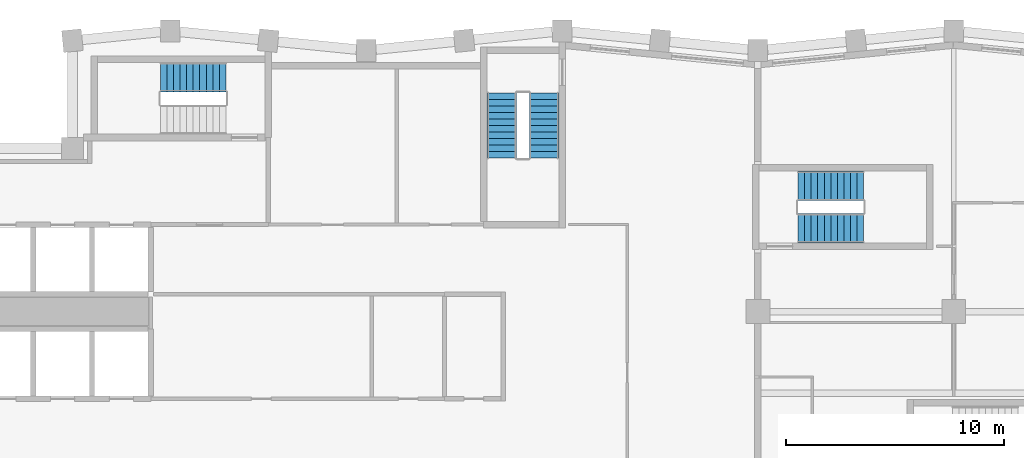
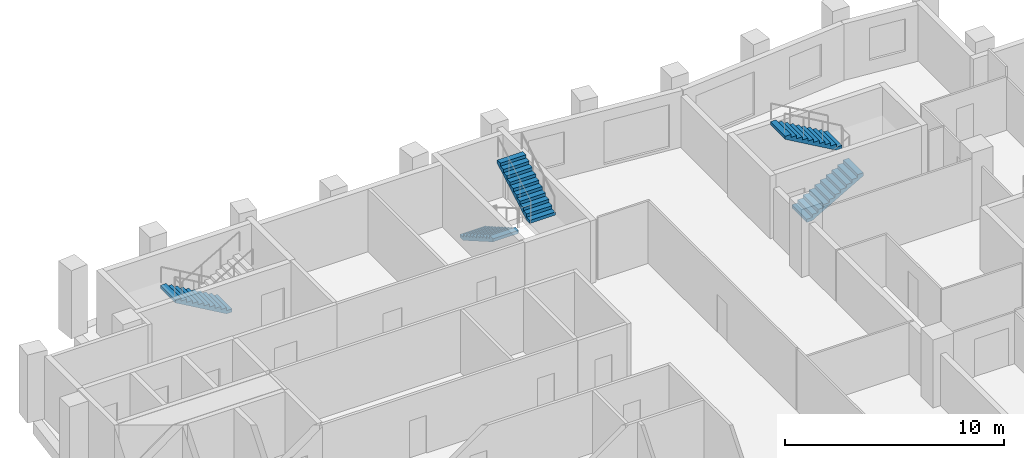
# One storey, part 7 of 8: 5 stair flights, 3 elements without a shape of their own.
"""IFC4 building model written with IfcOpenShell, lengths in metres."""

from ifc_helpers import new_model, si_unit, direction, frame, origin, place, context, subcontext, project, spatial, polyline, outline, extrude, material, type_object, element, aggregate, save


model = new_model("IFC4")

# Units and contexts
model_context = context("Model", 3, precision=1e-05, world=origin(), true_north=direction((0.0, 1.0)))
body_context = subcontext(model_context, "Body", "Model", "MODEL_VIEW")
ifc_project = project(units=[si_unit("LENGTHUNIT", "METRE"), si_unit("AREAUNIT", "SQUARE_METRE"), si_unit("VOLUMEUNIT", "CUBIC_METRE"), si_unit("PLANEANGLEUNIT", "RADIAN"), si_unit("MASSUNIT", "GRAM", prefix="KILO")], contexts=[model_context])

# Site, building, storey
site_placement = place(None, origin())
site = spatial("IfcSite", under=ifc_project, at=site_placement, CompositionType="ELEMENT")
building_placement = place(site_placement, origin())
building = spatial("IfcBuilding", under=site, at=building_placement, Name="Brondeck Convention Tower", CompositionType="ELEMENT")
storey_placement = place(building_placement, frame((0.0, 0.0, 214.0)))
storey = spatial("IfcBuildingStorey", under=building, at=storey_placement, Name="L52", CompositionType="ELEMENT", Elevation=214.0)

# Stair, stair flights
ifc_material = material(Name="Precast concrete C50/60", Category="concrete")
stair_type = type_object("IfcStairType", Name="Core stair 22 risers 172.73 mm riser 300 mm going 1350 wide", PredefinedType="HALF_TURN_STAIR", material=ifc_material)
stair_1_placement = place(storey_placement, origin())
stair_1 = element("IfcStair", 1, at=stair_1_placement, inside=storey, type_object=stair_type, Name="ST-2 L52 stair", PredefinedType="HALF_TURN_STAIR")
stair_flight_type = type_object("IfcStairFlightType", Name="Core stair flight 22 risers 172.73 mm riser 300 mm going 1350 wide", PredefinedType="STRAIGHT", material=ifc_material)
stair_flight_1_placement = place(storey_placement, frame((24.22509765625, 61.050048828125, 0.0), z_axis=(0.0, 0.0, 1.0), x_axis=(0.0, -1.0, 0.0)))
stair_flight_1 = element("IfcStairFlight", 2, at=stair_flight_1_placement, type_object=stair_flight_type, Name="ST-2 flight 1", NumberOfRisers=11, NumberOfTreads=10, PredefinedType="STRAIGHT", RiserHeight=0.172727273, TreadLength=0.3, context=body_context, shape_type="SweptSolid", body=[
    extrude(outline(polyline([(0.0, 0.0), (0.0, 0.172607421875), (0.300048828125, 0.172607421875), (0.300048828125, 0.345458984375), (0.60009765625, 0.345458984375), (0.60009765625, 0.51806640625), (0.89990234375, 0.51806640625), (0.89990234375, 0.69091796875), (1.199951171875, 0.69091796875), (1.199951171875, 0.863525390625), (1.5, 0.863525390625), (1.5, 1.036376953125), (1.800048828125, 1.036376953125), (1.800048828125, 1.208984375), (2.10009765625, 1.208984375), (2.10009765625, 1.3818359375), (2.39990234375, 1.3818359375), (2.39990234375, 1.554443359375), (2.699951171875, 1.554443359375), (2.699951171875, 1.727294921875), (3.0, 1.727294921875), (3.0, 1.89990234375), (3.0, 1.55419921875), (0.300537109375, 0.0), (0.0, 0.0)])), frame((0.0, 0.675048828125, 0.0), z_axis=(0.0, -1.0, 0.0), x_axis=(1.0, 0.0, 0.0)), (0.0, 0.0, 1.0), 1.35009765625),
])
stair_flight_2_placement = place(storey_placement, frame((26.175048828125, 58.050048828125, 1.89990234375), z_axis=(0.0, 0.0, 1.0), x_axis=(0.0, 1.0, 0.0)))
stair_flight_2 = element("IfcStairFlight", 3, at=stair_flight_2_placement, type_object=stair_flight_type, Name="ST-2 flight 2", NumberOfRisers=11, NumberOfTreads=10, PredefinedType="STRAIGHT", RiserHeight=0.172727273, TreadLength=0.3, context=body_context, shape_type="SweptSolid", body=[
    extrude(outline(polyline([(0.0, 0.0), (0.0, 0.172607421875), (0.300048828125, 0.172607421875), (0.300048828125, 0.345458984375), (0.60009765625, 0.345458984375), (0.60009765625, 0.51806640625), (0.89990234375, 0.51806640625), (0.89990234375, 0.69091796875), (1.199951171875, 0.69091796875), (1.199951171875, 0.863525390625), (1.5, 0.863525390625), (1.5, 1.036376953125), (1.800048828125, 1.036376953125), (1.800048828125, 1.208984375), (2.10009765625, 1.208984375), (2.10009765625, 1.3818359375), (2.39990234375, 1.3818359375), (2.39990234375, 1.554443359375), (2.699951171875, 1.554443359375), (2.699951171875, 1.727294921875), (3.0, 1.727294921875), (3.0, 1.89990234375), (3.0, 1.55419921875), (0.300537109375, 0.0), (0.0, 0.0)])), frame((0.0, 0.675048828125, 0.0), z_axis=(0.0, -1.0, 0.0), x_axis=(1.0, 0.0, 0.0)), (0.0, 0.0, 1.0), 1.35009765625),
])
aggregate(stair_1, [stair_flight_1, stair_flight_2])

# Stair, stair flight
stair_2_placement = place(storey_placement, origin())
stair_2 = element("IfcStair", 4, at=stair_2_placement, inside=storey, type_object=stair_type, Name="ST-3 L52 stair", PredefinedType="HALF_TURN_STAIR")
stair_flight_3_placement = place(storey_placement, frame((11.550048828125, 61.77490234375, 0.0), z_axis=(0.0, 0.0, 1.0), x_axis=(-1.0, 0.0, 0.0)))
stair_flight_3 = element("IfcStairFlight", 5, at=stair_flight_3_placement, type_object=stair_flight_type, Name="ST-3 flight 1", NumberOfRisers=11, NumberOfTreads=10, PredefinedType="STRAIGHT", RiserHeight=0.172727273, TreadLength=0.3, context=body_context, shape_type="SweptSolid", body=[
    extrude(outline(polyline([(0.0, 0.0), (0.0, 0.172607421875), (0.300048828125, 0.172607421875), (0.300048828125, 0.345458984375), (0.60009765625, 0.345458984375), (0.60009765625, 0.51806640625), (0.89990234375, 0.51806640625), (0.89990234375, 0.69091796875), (1.199951171875, 0.69091796875), (1.199951171875, 0.863525390625), (1.5, 0.863525390625), (1.5, 1.036376953125), (1.800048828125, 1.036376953125), (1.800048828125, 1.208984375), (2.10009765625, 1.208984375), (2.10009765625, 1.3818359375), (2.39990234375, 1.3818359375), (2.39990234375, 1.554443359375), (2.699951171875, 1.554443359375), (2.699951171875, 1.727294921875), (3.0, 1.727294921875), (3.0, 1.89990234375), (3.0, 1.55419921875), (0.300537109375, 0.0), (0.0, 0.0)])), frame((0.0, 0.675048828125, 0.0), z_axis=(0.0, -1.0, 0.0), x_axis=(1.0, 0.0, 0.0)), (0.0, 0.0, 1.0), 1.35009765625),
])
aggregate(stair_2, [stair_flight_3])

# Stair, stair flights
stair_3_placement = place(storey_placement, origin())
stair_3 = element("IfcStair", 6, at=stair_3_placement, inside=storey, type_object=stair_type, Name="ST-AE L52 stair", PredefinedType="HALF_TURN_STAIR")
stair_flight_4_placement = place(storey_placement, frame((37.85009765625, 54.824951171875, 0.0), z_axis=(0.0, 0.0, 1.0), x_axis=(1.0, 0.0, 0.0)))
stair_flight_4 = element("IfcStairFlight", 7, at=stair_flight_4_placement, type_object=stair_flight_type, Name="ST-AE flight 1", NumberOfRisers=11, NumberOfTreads=10, PredefinedType="STRAIGHT", RiserHeight=0.172727273, TreadLength=0.3, context=body_context, shape_type="SweptSolid", body=[
    extrude(outline(polyline([(0.0, 0.0), (0.0, 0.172607421875), (0.300048828125, 0.172607421875), (0.300048828125, 0.345458984375), (0.60009765625, 0.345458984375), (0.60009765625, 0.51806640625), (0.89990234375, 0.51806640625), (0.89990234375, 0.69091796875), (1.199951171875, 0.69091796875), (1.199951171875, 0.863525390625), (1.5, 0.863525390625), (1.5, 1.036376953125), (1.800048828125, 1.036376953125), (1.800048828125, 1.208984375), (2.10009765625, 1.208984375), (2.10009765625, 1.3818359375), (2.39990234375, 1.3818359375), (2.39990234375, 1.554443359375), (2.699951171875, 1.554443359375), (2.699951171875, 1.727294921875), (3.0, 1.727294921875), (3.0, 1.89990234375), (3.0, 1.55419921875), (0.300537109375, 0.0), (0.0, 0.0)])), frame((0.0, 0.675048828125, 0.0), z_axis=(0.0, -1.0, 0.0), x_axis=(1.0, 0.0, 0.0)), (0.0, 0.0, 1.0), 1.35009765625),
])
stair_flight_5_placement = place(storey_placement, frame((40.85009765625, 56.77490234375, 1.89990234375), z_axis=(0.0, 0.0, 1.0), x_axis=(-1.0, 0.0, 0.0)))
stair_flight_5 = element("IfcStairFlight", 8, at=stair_flight_5_placement, type_object=stair_flight_type, Name="ST-AE flight 2", NumberOfRisers=11, NumberOfTreads=10, PredefinedType="STRAIGHT", RiserHeight=0.172727273, TreadLength=0.3, context=body_context, shape_type="SweptSolid", body=[
    extrude(outline(polyline([(0.0, 0.0), (0.0, 0.172607421875), (0.300048828125, 0.172607421875), (0.300048828125, 0.345458984375), (0.60009765625, 0.345458984375), (0.60009765625, 0.51806640625), (0.89990234375, 0.51806640625), (0.89990234375, 0.69091796875), (1.199951171875, 0.69091796875), (1.199951171875, 0.863525390625), (1.5, 0.863525390625), (1.5, 1.036376953125), (1.800048828125, 1.036376953125), (1.800048828125, 1.208984375), (2.10009765625, 1.208984375), (2.10009765625, 1.3818359375), (2.39990234375, 1.3818359375), (2.39990234375, 1.554443359375), (2.699951171875, 1.554443359375), (2.699951171875, 1.727294921875), (3.0, 1.727294921875), (3.0, 1.89990234375), (3.0, 1.55419921875), (0.300537109375, 0.0), (0.0, 0.0)])), frame((0.0, 0.675048828125, 0.0), z_axis=(0.0, -1.0, 0.0), x_axis=(1.0, 0.0, 0.0)), (0.0, 0.0, 1.0), 1.35009765625),
])
aggregate(stair_3, [stair_flight_4, stair_flight_5])

save(model, "model.ifc")
